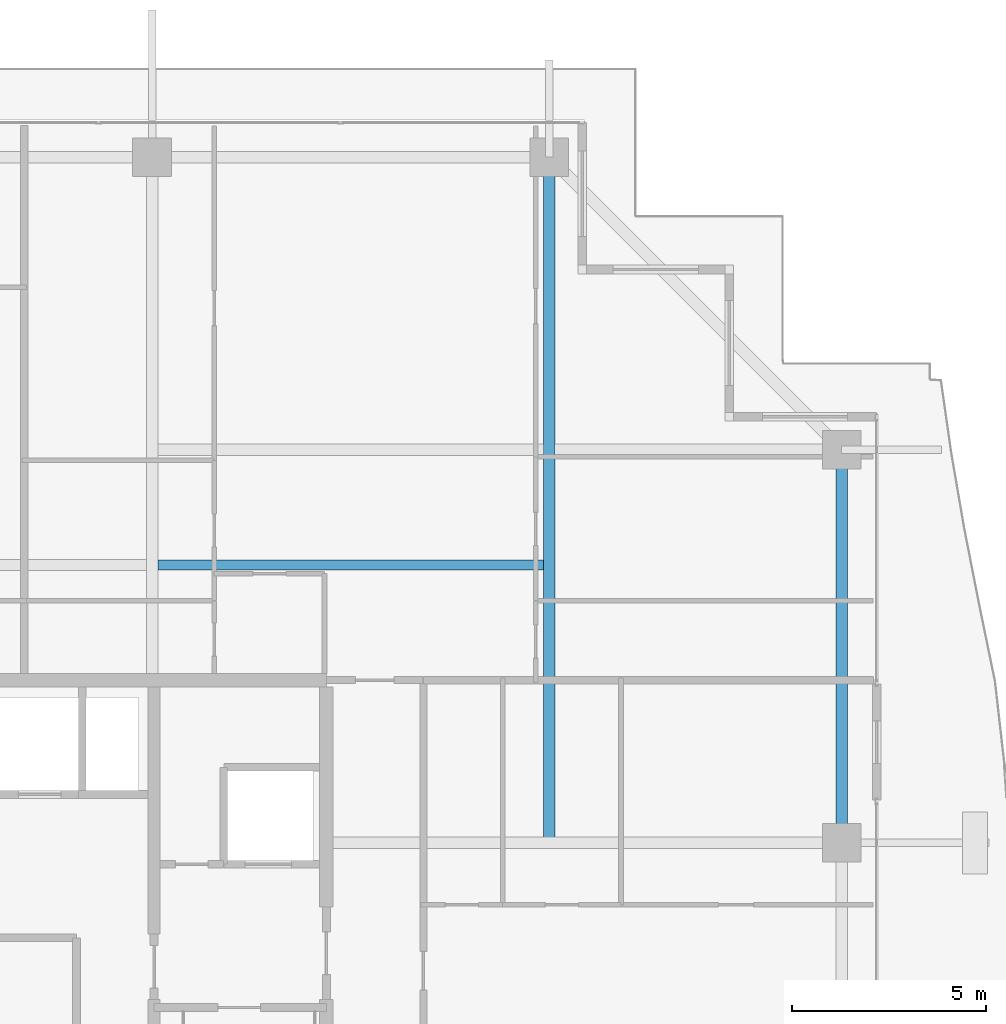
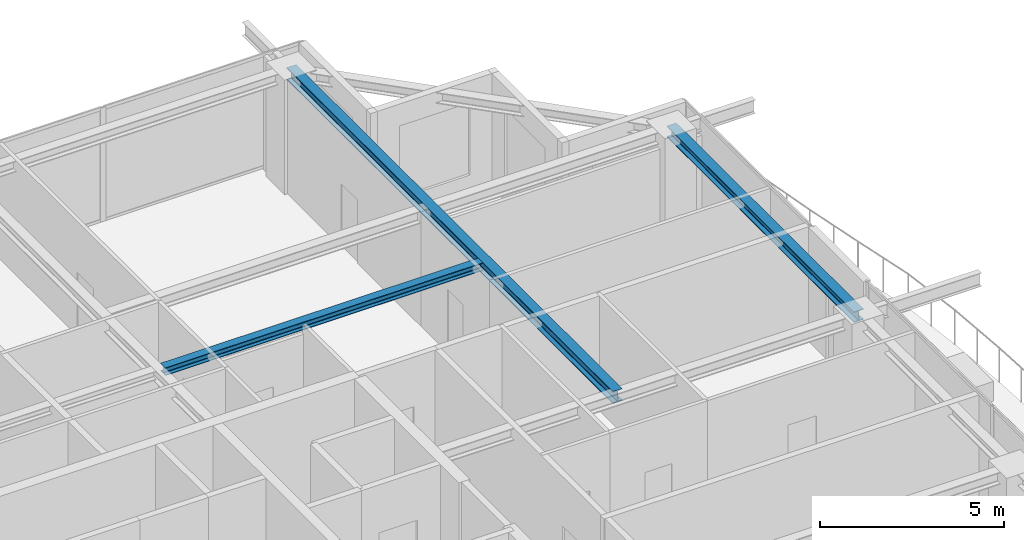
# One storey, part 25 of 42: 3 beams.
"""IFC4 building model written with IfcOpenShell, lengths in metres."""

import ifcopenshell
import ifcopenshell.guid

model = None  # the IFC model being written
_history = None  # IfcOwnerHistory: only IFC2X3 demands one
_inside = {}  # id of a spatial element -> (the spatial element, [elements in it])
_under = {}  # id of a project, library or spatial element -> (it, [spatial elements below it])
_declared = {}  # id of a project -> (the project, [libraries it declares])
_typed = {}  # id of a type object -> (the type object, [elements of that type])
_made_of = {}  # id of a material, layer set ... -> (it, [elements and type objects made of it])


def new_model(schema):
    """Start an empty IFC model of exactly this schema.

    Asked for "IFC4X3", IfcOpenShell would pick the latest addendum, in which some entities
    have other attributes; the version numbers below select the first issue.
    IFC2X3 requires an IfcOwnerHistory on every rooted entity: one is made here for all.
    """
    global model, _history
    if schema == "IFC4X3":
        model = ifcopenshell.file(schema_version=(4, 3, 0, 0))
    else:
        model = ifcopenshell.file(schema=schema)
    _inside.clear()
    _under.clear()
    _declared.clear()
    _typed.clear()
    _made_of.clear()
    _history = None
    if model.schema == "IFC2X3":
        org = make("IfcOrganization", Name="unknown")
        user = make(
            "IfcPersonAndOrganization",
            ThePerson=make("IfcPerson", FamilyName="unknown"),
            TheOrganization=org,
        )
        app = make(
            "IfcApplication",
            ApplicationDeveloper=org,
            Version="unknown",
            ApplicationFullName="unknown",
            ApplicationIdentifier="unknown",
        )
        _history = make(
            "IfcOwnerHistory",
            OwningUser=user,
            OwningApplication=app,
            ChangeAction="ADDED",
            CreationDate=0,
        )
    return model


def make(cls, **values):
    """One entity of the class cls with the attributes given. An attribute that is None is left unset."""
    return model.create_entity(
        cls, **{name: value for name, value in values.items() if value is not None}
    )


def rooted(cls, **values):
    """An entity with a GlobalId (a new one), such as an element, a storey or a relation."""
    return make(cls, GlobalId=ifcopenshell.guid.new(), OwnerHistory=_history, **values)


def si_unit(unit_type, name, prefix=None):
    """IfcSIUnit, for example si_unit("LENGTHUNIT", "METRE", prefix="MILLI")."""
    return make("IfcSIUnit", UnitType=unit_type, Prefix=prefix, Name=name)


def assignment(units):
    """IfcUnitAssignment: the units of a project."""
    return None if units is None else make("IfcUnitAssignment", Units=units)


def point(xyz):
    """IfcCartesianPoint."""
    return None if xyz is None else make("IfcCartesianPoint", Coordinates=xyz)


def direction(xyz):
    """IfcDirection."""
    return None if xyz is None else make("IfcDirection", DirectionRatios=xyz)


def frame(location, z_axis=None, x_axis=None):
    """IfcAxis2Placement3D, a coordinate frame: its origin and axes. An axis left out is left unset."""
    return make(
        "IfcAxis2Placement3D",
        Location=point(location),
        Axis=direction(z_axis),
        RefDirection=direction(x_axis),
    )


def frame_2d(location, x_axis=None):
    """IfcAxis2Placement2D, a coordinate frame in the plane: its origin and x axis."""
    return make(
        "IfcAxis2Placement2D", Location=point(location), RefDirection=direction(x_axis)
    )


def origin():
    """The frame at (0, 0, 0) with its axes left unset."""
    return frame((0.0, 0.0, 0.0))


def origin_2d():
    """The frame at (0, 0) in the plane with its x axis left unset."""
    return frame_2d((0.0, 0.0))


def place(relative_to, where):
    """IfcLocalPlacement: puts the frame where relative to a parent placement (None: the world)."""
    return make(
        "IfcLocalPlacement", PlacementRelTo=relative_to, RelativePlacement=where
    )


def context(
    kind, dimensions, precision=None, world=None, true_north=None, identifier=None
):
    """IfcGeometricRepresentationContext, for example the 3D "Model" context."""
    return make(
        "IfcGeometricRepresentationContext",
        ContextIdentifier=identifier,
        ContextType=kind,
        CoordinateSpaceDimension=dimensions,
        Precision=precision,
        WorldCoordinateSystem=world,
        TrueNorth=true_north,
    )


def subcontext(parent, identifier, kind, view, scale=None):
    """IfcGeometricRepresentationSubContext, for example "Body" below "Model"."""
    return make(
        "IfcGeometricRepresentationSubContext",
        ContextIdentifier=identifier,
        ContextType=kind,
        ParentContext=parent,
        TargetScale=scale,
        TargetView=view,
    )


def project(units=None, contexts=None):
    """IfcProject with its units and contexts."""
    return rooted(
        "IfcProject",
        Name="project",
        RepresentationContexts=contexts,
        UnitsInContext=assignment(units),
    )


def spatial(cls, under=None, at=None, **own):
    """A site, building, storey or space (cls), placed at a placement, below another one or the project."""
    s = rooted(cls, ObjectPlacement=at, **own)
    if under is not None:
        _under.setdefault(under.id(), (under, []))[1].append(s)
    return s


def profile(cls, at=None, kind="AREA", **sizes):
    """A parametric profile (cls). Its sizes go by their IFC names, for example OverallWidth=200.0."""
    return make(cls, ProfileType=kind, Position=at, **sizes)


def i_section(**sizes):
    """IfcIShapeProfileDef."""
    return profile("IfcIShapeProfileDef", **sizes)


def extrude(swept, where, along, depth):
    """IfcExtrudedAreaSolid: the profile swept, set in the frame where, extruded along a direction by depth."""
    return make(
        "IfcExtrudedAreaSolid",
        SweptArea=swept,
        Position=where,
        ExtrudedDirection=direction(along),
        Depth=depth,
    )


def shape(context_of_items, identifier, shape_type, items):
    """IfcShapeRepresentation: the items that make up one representation, for example the "Body"."""
    return make(
        "IfcShapeRepresentation",
        ContextOfItems=context_of_items,
        RepresentationIdentifier=identifier,
        RepresentationType=shape_type,
        Items=items,
    )


def source(mapping_origin, context_of_items, identifier, shape_type, items):
    """IfcRepresentationMap: a shape defined once, which mapped items show again and again."""
    return make(
        "IfcRepresentationMap",
        MappingOrigin=mapping_origin,
        MappedRepresentation=shape(context_of_items, identifier, shape_type, items),
    )


def transform(
    local_origin,
    x_axis=None,
    y_axis=None,
    z_axis=None,
    scale=None,
    scale2=None,
    scale3=None,
    uniform=True,
):
    """IfcCartesianTransformationOperator3D, or its non-uniform kind. x_axis, y_axis, z_axis: its Axis1, 2, 3."""
    if uniform:
        return make(
            "IfcCartesianTransformationOperator3D",
            Axis1=direction(x_axis),
            Axis2=direction(y_axis),
            LocalOrigin=point(local_origin),
            Scale=scale,
            Axis3=direction(z_axis),
        )
    return make(
        "IfcCartesianTransformationOperator3DnonUniform",
        Axis1=direction(x_axis),
        Axis2=direction(y_axis),
        LocalOrigin=point(local_origin),
        Scale=scale,
        Axis3=direction(z_axis),
        Scale2=scale2,
        Scale3=scale3,
    )


def mapped(mapping_source, mapping_target):
    """IfcMappedItem: shows the shape of a source again, moved by a transform."""
    return make(
        "IfcMappedItem", MappingSource=mapping_source, MappingTarget=mapping_target
    )


def material(Name=None, Category=None):
    """IfcMaterial."""
    return make("IfcMaterial", Name=Name, Category=Category)


def material_profile(
    of_material, cross_section, Name=None, Category=None, Priority=None
):
    """IfcMaterialProfile: a cross section and its material."""
    return make(
        "IfcMaterialProfile",
        Name=Name,
        Material=of_material,
        Profile=cross_section,
        Priority=Priority,
        Category=Category,
    )


def profile_set(profiles, Name=None, composite=None):
    """IfcMaterialProfileSet."""
    return make(
        "IfcMaterialProfileSet",
        Name=Name,
        MaterialProfiles=profiles,
        CompositeProfile=composite,
    )


def made_of(thing, what):
    """Note that an element or type object is made of a material, layer set ...; save() writes the relation."""
    if what is not None:
        _made_of.setdefault(what.id(), (what, []))[1].append(thing)
    return thing


def type_object(cls, material=None, **own):
    """A type object (cls), such as IfcWallType, which elements share."""
    return made_of(rooted(cls, **own), material)


def element(
    cls,
    number,
    at=None,
    inside=None,
    cuts=None,
    type_object=None,
    material=None,
    context=None,
    identifier="Body",
    shape_type=None,
    held_by="IfcProductDefinitionShape",
    body=None,
    shapes=None,
    **own,
):
    """One element of the class cls, such as IfcWall. Its Tag is "e" and its number.

    at: its placement. inside: the storey or other place that contains it. cuts: it is an
    opening in that element (IfcRelVoidsElement). A single representation is given by context,
    identifier, shape_type and body (its items); several are given by shapes. held_by: the class
    of the entity that holds the representations. save() writes the other relations.
    """
    e = rooted(cls, Tag="e%d" % number, ObjectPlacement=at, **own)
    if body is not None:
        shapes = [shape(context, identifier, shape_type, body)]
    if shapes is not None:
        e.Representation = make(held_by, Representations=shapes)
    if inside is not None:
        _inside.setdefault(inside.id(), (inside, []))[1].append(e)
    if cuts is not None:
        rooted(
            "IfcRelVoidsElement", RelatingBuildingElement=cuts, RelatedOpeningElement=e
        )
    if type_object is not None:
        _typed.setdefault(type_object.id(), (type_object, []))[1].append(e)
    return made_of(e, material)


def aggregate(whole, parts):
    """IfcRelAggregates: a whole, such as a stair, and the parts it consists of."""
    return rooted("IfcRelAggregates", RelatingObject=whole, RelatedObjects=parts)


def save(model, path):
    """Write the relations noted so far, then the file.

    IfcRelAggregates (storeys below a building ...), IfcRelContainedInSpatialStructure (elements
    in a storey), IfcRelDefinesByType, IfcRelAssociatesMaterial and IfcRelDeclares: one each for
    every whole, place, type object, material and project.
    """
    for whole, parts in _under.values():
        aggregate(whole, parts)
    for where, things in _inside.values():
        rooted(
            "IfcRelContainedInSpatialStructure",
            RelatedElements=things,
            RelatingStructure=where,
        )
    for kind, things in _typed.values():
        rooted("IfcRelDefinesByType", RelatedObjects=things, RelatingType=kind)
    for what, things in _made_of.values():
        rooted("IfcRelAssociatesMaterial", RelatedObjects=things, RelatingMaterial=what)
    for by, libraries in _declared.values():
        rooted("IfcRelDeclares", RelatingContext=by, RelatedDefinitions=libraries)
    model.write(path)


model = new_model("IFC4")

# Units and contexts
model_context = context("Model", 3, precision=1e-05, world=origin(), true_north=direction((0.0, 1.0)))
body_context = subcontext(model_context, "Body", "Model", "MODEL_VIEW")
ifc_project = project(units=[si_unit("LENGTHUNIT", "METRE"), si_unit("AREAUNIT", "SQUARE_METRE"), si_unit("VOLUMEUNIT", "CUBIC_METRE"), si_unit("PLANEANGLEUNIT", "RADIAN"), si_unit("MASSUNIT", "GRAM", prefix="KILO")], contexts=[model_context])

# Site, building, storey
site_placement = place(None, origin())
site = spatial("IfcSite", under=ifc_project, at=site_placement, CompositionType="ELEMENT")
building_placement = place(site_placement, origin())
building = spatial("IfcBuilding", under=site, at=building_placement, Name="Serunith Strait Residences", CompositionType="ELEMENT")
storey_placement = place(building_placement, frame((0.0, 0.0, 325.85009765625)))
storey = spatial("IfcBuildingStorey", under=building, at=storey_placement, Name="L81", CompositionType="ELEMENT", Elevation=325.85009765625)

# Beams
ifc_material = material(Name="Steel S355J2", Category="steel")
ifc_material_profile_1 = material_profile(ifc_material, i_section(OverallWidth=0.300048828125, OverallDepth=0.39990234375, WebThickness=0.013427734375, FlangeThickness=0.02392578125, FilletRadius=0.027099609375, at=origin_2d()), Name="HEB 400")
ifc_profile_set_1 = profile_set([ifc_material_profile_1], Name="Steel S355J2")
beam_type_1 = type_object("IfcBeamType", Name="BM-HEB400", PredefinedType="BEAM", material=ifc_profile_set_1)
shared_shape_1 = source(origin(), body_context, "Body", "SweptSolid", [
    extrude(i_section(OverallWidth=0.300048828125, OverallDepth=0.39990234375, WebThickness=0.013427734375, FlangeThickness=0.02392578125, FilletRadius=0.027099609375, at=origin_2d()), origin(), (0.0, 0.0, 1.0), 17.7001953125),
])
beam_1_placement = place(storey_placement, frame((47.14990234375, 29.39990234375, 3.5869140625), z_axis=(0.0, 1.0, 0.0), x_axis=(-1.0, 0.0, 0.0)))
element("IfcBeam", 1, at=beam_1_placement, inside=storey, type_object=beam_type_1, Name="L81 Orthogonal Corner Girder TC-N4", PredefinedType="BEAM", context=body_context, shape_type="MappedRepresentation", body=[
    mapped(shared_shape_1, transform((0.0, 0.0, 0.0), scale=1.0)),
])
ifc_material_profile_2 = material_profile(ifc_material, i_section(OverallWidth=0.300048828125, OverallDepth=0.360107421875, WebThickness=0.012451171875, FlangeThickness=0.0224609375, FilletRadius=0.027099609375, at=origin_2d()), Name="HEB 360")
ifc_profile_set_2 = profile_set([ifc_material_profile_2], Name="Steel S355J2")
beam_type_2 = type_object("IfcBeamType", Name="BM-HEB360", PredefinedType="BEAM", material=ifc_profile_set_2)
shared_shape_2 = source(origin(), body_context, "Body", "SweptSolid", [
    extrude(i_section(OverallWidth=0.300048828125, OverallDepth=0.360107421875, WebThickness=0.012451171875, FlangeThickness=0.0224609375, FilletRadius=0.027099609375, at=origin_2d()), origin(), (0.0, 0.0, 1.0), 10.150146484375),
])
beam_2_placement = place(storey_placement, frame((54.699951171875, 29.39990234375, 3.60693359375), z_axis=(0.0, 1.0, 0.0), x_axis=(-1.0, 0.0, 0.0)))
element("IfcBeam", 2, at=beam_2_placement, inside=storey, type_object=beam_type_2, Name="L81 Perimeter Ring Beam 07", PredefinedType="BEAM", context=body_context, shape_type="MappedRepresentation", body=[
    mapped(shared_shape_2, transform((0.0, 0.0, 0.0), scale=1.0)),
])
ifc_material_profile_3 = material_profile(ifc_material, i_section(OverallWidth=0.260009765625, OverallDepth=0.260009765625, WebThickness=0.010009765625, FlangeThickness=0.017578125, FilletRadius=0.02392578125, at=origin_2d()), Name="HEB 260")
ifc_profile_set_3 = profile_set([ifc_material_profile_3], Name="Steel S355J2")
beam_type_3 = type_object("IfcBeamType", Name="BM-HEB260", PredefinedType="JOIST", material=ifc_profile_set_3)
shared_shape_3 = source(origin(), body_context, "Body", "SweptSolid", [
    extrude(i_section(OverallWidth=0.260009765625, OverallDepth=0.260009765625, WebThickness=0.010009765625, FlangeThickness=0.017578125, FilletRadius=0.02392578125, at=origin_2d()), origin(), (0.0, 0.0, 1.0), 9.949951171875),
])
beam_3_placement = place(storey_placement, frame((37.050048828125, 36.574951171875, 3.656982421875), z_axis=(1.0, 0.0, 0.0), x_axis=(0.0, 1.0, 0.0)))
element("IfcBeam", 3, at=beam_3_placement, inside=storey, type_object=beam_type_3, Name="L81 Composite Floor Joist 06", PredefinedType="JOIST", context=body_context, shape_type="MappedRepresentation", body=[
    mapped(shared_shape_3, transform((0.0, 0.0, 0.0), scale=1.0)),
])

save(model, "model.ifc")
